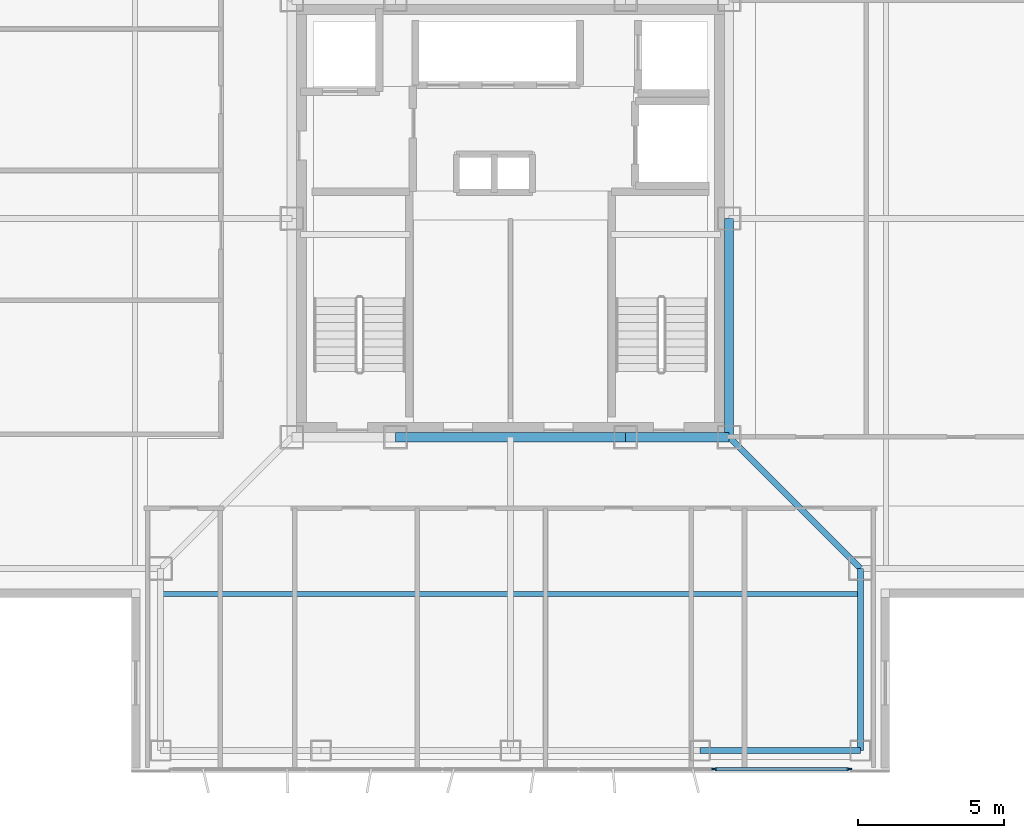
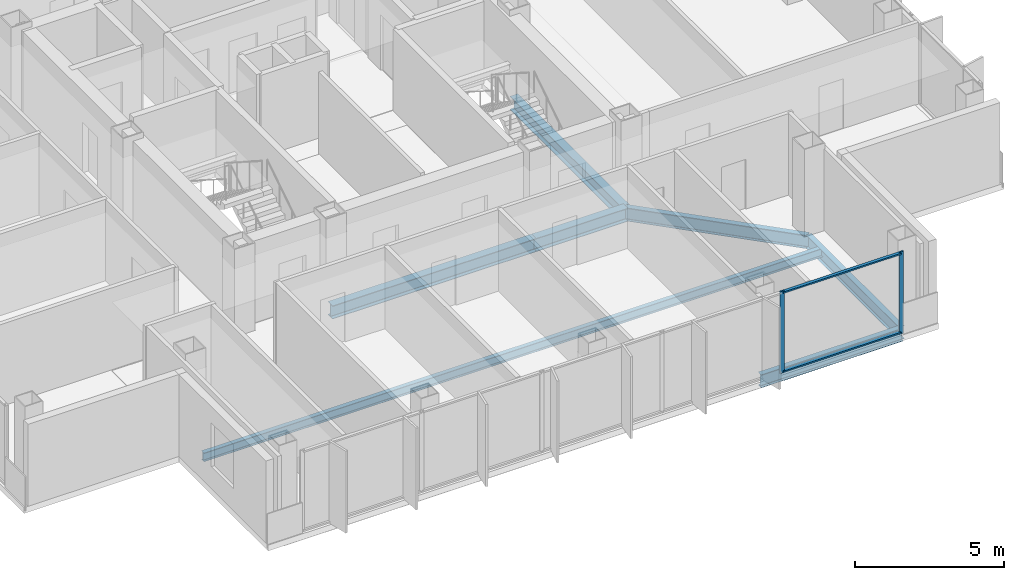
# One storey, part 3 of 15: 7 beams, 4 members, 1 element without a shape of its own.
"""IFC4 building model written with IfcOpenShell, lengths in metres."""

from ifc_helpers import new_model, si_unit, direction, frame, origin, origin_2d, place, context, subcontext, project, spatial, rectangle, i_section, extrude, material, layer, layer_set, material_profile, profile_set, type_object, element, aggregate, save


model = new_model("IFC4")

# Units and contexts
model_context = context("Model", 3, precision=1e-05, world=origin(), true_north=direction((0.0, 1.0)))
body_context = subcontext(model_context, "Body", "Model", "MODEL_VIEW")
ifc_project = project(units=[si_unit("LENGTHUNIT", "METRE"), si_unit("AREAUNIT", "SQUARE_METRE"), si_unit("VOLUMEUNIT", "CUBIC_METRE"), si_unit("PLANEANGLEUNIT", "RADIAN"), si_unit("MASSUNIT", "GRAM", prefix="KILO")], contexts=[model_context])

# Site, building, storey
site_placement = place(None, origin())
site = spatial("IfcSite", under=ifc_project, at=site_placement, CompositionType="ELEMENT")
building_placement = place(site_placement, origin())
building = spatial("IfcBuilding", under=site, at=building_placement, Name="Trevonay Congress Spire", CompositionType="ELEMENT")
storey_placement = place(building_placement, frame((0.0, 0.0, 239.60009765625)))
storey = spatial("IfcBuildingStorey", under=building, at=storey_placement, Name="L62", CompositionType="ELEMENT", Elevation=239.60009765625)

# Beams
ifc_material_1 = material(Name="Steel ASTM A572 Grade 50", Category="steel")
ifc_material_profile_1 = material_profile(ifc_material_1, i_section(OverallWidth=0.2119140625, OverallDepth=0.5439453125, WebThickness=0.01318359375, FlangeThickness=0.021240234375, FilletRadius=0.014892578125, at=origin_2d()), Name="W530x123")
ifc_profile_set_1 = profile_set([ifc_material_profile_1], Name="Steel ASTM A572 Grade 50")
beam_type_1 = type_object("IfcBeamType", Name="BM-GIRD-W530X123", PredefinedType="BEAM", material=ifc_profile_set_1)
beam_1_placement = place(storey_placement, frame((7.5, -7.5, -0.51220703125), z_axis=(0.707106781187, -0.707106781187, 0.0), x_axis=(0.707106781187, 0.707106781187, 0.0)))
element("IfcBeam", 1, at=beam_1_placement, inside=storey, type_object=beam_type_1, Name="L62 structural beam BM-L62-CDSE", PredefinedType="BEAM", context=body_context, shape_type="SweptSolid", body=[
    extrude(i_section(OverallWidth=0.2119140625, OverallDepth=0.5439453125, WebThickness=0.01318359375, FlangeThickness=0.021240234375, FilletRadius=0.014892578125, at=origin_2d()), origin(), (0.0, 0.0, 1.0), 6.364013671875),
])
ifc_material_profile_2 = material_profile(ifc_material_1, i_section(OverallWidth=0.31201171875, OverallDepth=0.54296875, WebThickness=0.0126953125, FlangeThickness=0.020263671875, FilletRadius=0.014892578125, at=origin_2d()), Name="W530x150")
ifc_profile_set_2 = profile_set([ifc_material_profile_2], Name="Steel ASTM A572 Grade 50")
beam_type_2 = type_object("IfcBeamType", Name="BM-GIRD-W530X150", PredefinedType="BEAM", material=ifc_profile_set_2)
beam_2_placement = place(storey_placement, frame((-3.949951171875, -7.5, -0.51171875), z_axis=(1.0, 0.0, 0.0), x_axis=(0.0, 1.0, 0.0)))
element("IfcBeam", 2, at=beam_2_placement, inside=storey, type_object=beam_type_2, Name="L62 structural beam BM-L62-CR-S2", PredefinedType="BEAM", context=body_context, shape_type="SweptSolid", body=[
    extrude(i_section(OverallWidth=0.31201171875, OverallDepth=0.54296875, WebThickness=0.0126953125, FlangeThickness=0.020263671875, FilletRadius=0.014892578125, at=origin_2d()), origin(), (0.0, 0.0, 1.0), 7.89990234375),
])
beam_3_placement = place(storey_placement, frame((3.949951171875, -7.5, -0.51171875), z_axis=(1.0, 0.0, 0.0), x_axis=(0.0, 1.0, 0.0)))
element("IfcBeam", 3, at=beam_3_placement, inside=storey, type_object=beam_type_2, Name="L62 structural beam BM-L62-CR-S3", PredefinedType="BEAM", context=body_context, shape_type="SweptSolid", body=[
    extrude(i_section(OverallWidth=0.31201171875, OverallDepth=0.54296875, WebThickness=0.0126953125, FlangeThickness=0.020263671875, FilletRadius=0.014892578125, at=origin_2d()), origin(), (0.0, 0.0, 1.0), 3.550048828125),
])
beam_4_placement = place(storey_placement, frame((7.5, -7.5, -0.51171875), z_axis=(0.0, 1.0, 0.0), x_axis=(-1.0, 0.0, 0.0)))
element("IfcBeam", 4, at=beam_4_placement, inside=storey, type_object=beam_type_2, Name="L62 structural beam BM-L62-CR-E1", PredefinedType="BEAM", context=body_context, shape_type="SweptSolid", body=[
    extrude(i_section(OverallWidth=0.31201171875, OverallDepth=0.54296875, WebThickness=0.0126953125, FlangeThickness=0.020263671875, FilletRadius=0.014892578125, at=origin_2d()), origin(), (0.0, 0.0, 1.0), 7.5),
])
ifc_material_profile_3 = material_profile(ifc_material_1, i_section(OverallWidth=0.208984375, OverallDepth=0.532958984375, WebThickness=0.01025390625, FlangeThickness=0.015625, FilletRadius=0.014892578125, at=origin_2d()), Name="W530x92")
ifc_profile_set_3 = profile_set([ifc_material_profile_3], Name="Steel ASTM A572 Grade 50")
beam_type_3 = type_object("IfcBeamType", Name="BM-RING-W530X92", PredefinedType="BEAM", material=ifc_profile_set_3)
beam_5_placement = place(storey_placement, frame((6.5, -18.25, -0.506591796875), z_axis=(1.0, 0.0, 0.0), x_axis=(0.0, 1.0, 0.0)))
element("IfcBeam", 5, at=beam_5_placement, inside=storey, type_object=beam_type_3, Name="L62 structural beam BM-L62-PS4", PredefinedType="BEAM", context=body_context, shape_type="SweptSolid", body=[
    extrude(i_section(OverallWidth=0.208984375, OverallDepth=0.532958984375, WebThickness=0.01025390625, FlangeThickness=0.015625, FilletRadius=0.014892578125, at=origin_2d()), origin(), (0.0, 0.0, 1.0), 5.5),
])
beam_6_placement = place(storey_placement, frame((12.0, -18.25, -0.506591796875), z_axis=(0.0, 1.0, 0.0), x_axis=(-1.0, 0.0, 0.0)))
element("IfcBeam", 6, at=beam_6_placement, inside=storey, type_object=beam_type_3, Name="L62 structural beam BM-L62-N1SE", PredefinedType="BEAM", context=body_context, shape_type="SweptSolid", body=[
    extrude(i_section(OverallWidth=0.208984375, OverallDepth=0.532958984375, WebThickness=0.01025390625, FlangeThickness=0.015625, FilletRadius=0.014892578125, at=origin_2d()), origin(), (0.0, 0.0, 1.0), 6.25),
])

# Curtain wall, members
ifc_material_2 = material(Name="Pale Anodised Aluminium EN AW-6063-T6", Category="aluminium")
ifc_layer = layer(ifc_material_2, 0.1650390625, Name="Pale Anodised Aluminium EN AW-6063-T6")
ifc_layer_set = layer_set([ifc_layer], Name="Pale Anodised Aluminium EN AW-6063-T6")
curtain_wall_type = type_object("IfcCurtainWallType", Name="CW-SYS05-DIPLOM-PALE-METAL", PredefinedType="NOTDEFINED", material=ifc_layer_set)
curtain_wall_placement = place(storey_placement, origin())
curtain_wall = element("IfcCurtainWall", 7, at=curtain_wall_placement, inside=storey, type_object=curtain_wall_type, Name="L62 S unitised curtain wall", PredefinedType="NOTDEFINED")
ifc_material_profile_4 = material_profile(ifc_material_2, rectangle(XDim=0.06005859375, YDim=0.159912109375, at=origin_2d()), Name="CW-MULLION-160-ALUMINIUM")
ifc_profile_set_4 = profile_set([ifc_material_profile_4], Name="Pale Anodised Aluminium EN AW-6063-T6")
member_type_1 = type_object("IfcMemberType", Name="CW-MULLION-160-ALUMINIUM", PredefinedType="MULLION", material=ifc_profile_set_4)
member_1_placement = place(storey_placement, frame((6.989990234375, -18.8798828125, 0.0), z_axis=(0.0, 0.0, 1.0), x_axis=(0.0, 1.0, 0.0)))
member_1 = element("IfcMember", 8, at=member_1_placement, type_object=member_type_1, Name="CW05 mullion 5", PredefinedType="MULLION", context=body_context, shape_type="SweptSolid", body=[
    extrude(rectangle(XDim=0.06005859375, YDim=0.159912109375, at=origin_2d()), origin(), (0.0, 0.0, 1.0), 3.35986328125),
])
member_2_placement = place(storey_placement, frame((11.6201171875, -18.8798828125, 0.0), z_axis=(0.0, 0.0, 1.0), x_axis=(0.0, 1.0, 0.0)))
member_2 = element("IfcMember", 9, at=member_2_placement, type_object=member_type_1, Name="CW05 mullion 6", PredefinedType="MULLION", context=body_context, shape_type="SweptSolid", body=[
    extrude(rectangle(XDim=0.06005859375, YDim=0.159912109375, at=origin_2d()), origin(), (0.0, 0.0, 1.0), 3.35986328125),
])
ifc_material_profile_5 = material_profile(ifc_material_2, rectangle(XDim=0.1201171875, YDim=0.06005859375, at=origin_2d()), Name="CW-TRANSOM-120-ALUMINIUM")
ifc_profile_set_5 = profile_set([ifc_material_profile_5], Name="Pale Anodised Aluminium EN AW-6063-T6")
member_type_2 = type_object("IfcMemberType", Name="CW-TRANSOM-120-ALUMINIUM", PredefinedType="USERDEFINED", material=ifc_profile_set_5)
member_3_placement = place(storey_placement, frame((7.02001953125, -18.8798828125, 0.059814453125), z_axis=(1.0, 0.0, 0.0), x_axis=(0.0, 1.0, 0.0)))
member_3 = element("IfcMember", 10, at=member_3_placement, type_object=member_type_2, Name="CW05 transom 5.1", ObjectType="TRANSOM", PredefinedType="USERDEFINED", context=body_context, shape_type="SweptSolid", body=[
    extrude(rectangle(XDim=0.1201171875, YDim=0.06005859375, at=origin_2d()), origin(), (0.0, 0.0, 1.0), 4.570068359375),
])
member_4_placement = place(storey_placement, frame((7.02001953125, -18.8798828125, 3.2998046875), z_axis=(1.0, 0.0, 0.0), x_axis=(0.0, 1.0, 0.0)))
member_4 = element("IfcMember", 11, at=member_4_placement, type_object=member_type_2, Name="CW05 transom 5.2", ObjectType="TRANSOM", PredefinedType="USERDEFINED", context=body_context, shape_type="SweptSolid", body=[
    extrude(rectangle(XDim=0.1201171875, YDim=0.06005859375, at=origin_2d()), origin(), (0.0, 0.0, 1.0), 4.570068359375),
])
aggregate(curtain_wall, [member_1, member_2, member_3, member_4])

# Beam
ifc_material_profile_6 = material_profile(ifc_material_1, i_section(OverallWidth=0.172119140625, OverallDepth=0.35791015625, WebThickness=0.0078125, FlangeThickness=0.01318359375, FilletRadius=0.011962890625, at=origin_2d()), Name="W360x57.8")
ifc_profile_set_6 = profile_set([ifc_material_profile_6], Name="Steel ASTM A572 Grade 50")
beam_type_4 = type_object("IfcBeamType", Name="JS-COMP-W360X57", PredefinedType="JOIST", material=ifc_profile_set_6)
beam_7_placement = place(storey_placement, frame((-12.0, -12.875, -0.419189453125), z_axis=(1.0, 0.0, 0.0), x_axis=(0.0, 1.0, 0.0)))
element("IfcBeam", 12, at=beam_7_placement, inside=storey, type_object=beam_type_4, Name="L62 structural beam JS-L62-RING-S", PredefinedType="JOIST", context=body_context, shape_type="SweptSolid", body=[
    extrude(i_section(OverallWidth=0.172119140625, OverallDepth=0.35791015625, WebThickness=0.0078125, FlangeThickness=0.01318359375, FilletRadius=0.011962890625, at=origin_2d()), origin(), (0.0, 0.0, 1.0), 24.0),
])

save(model, "model.ifc")
